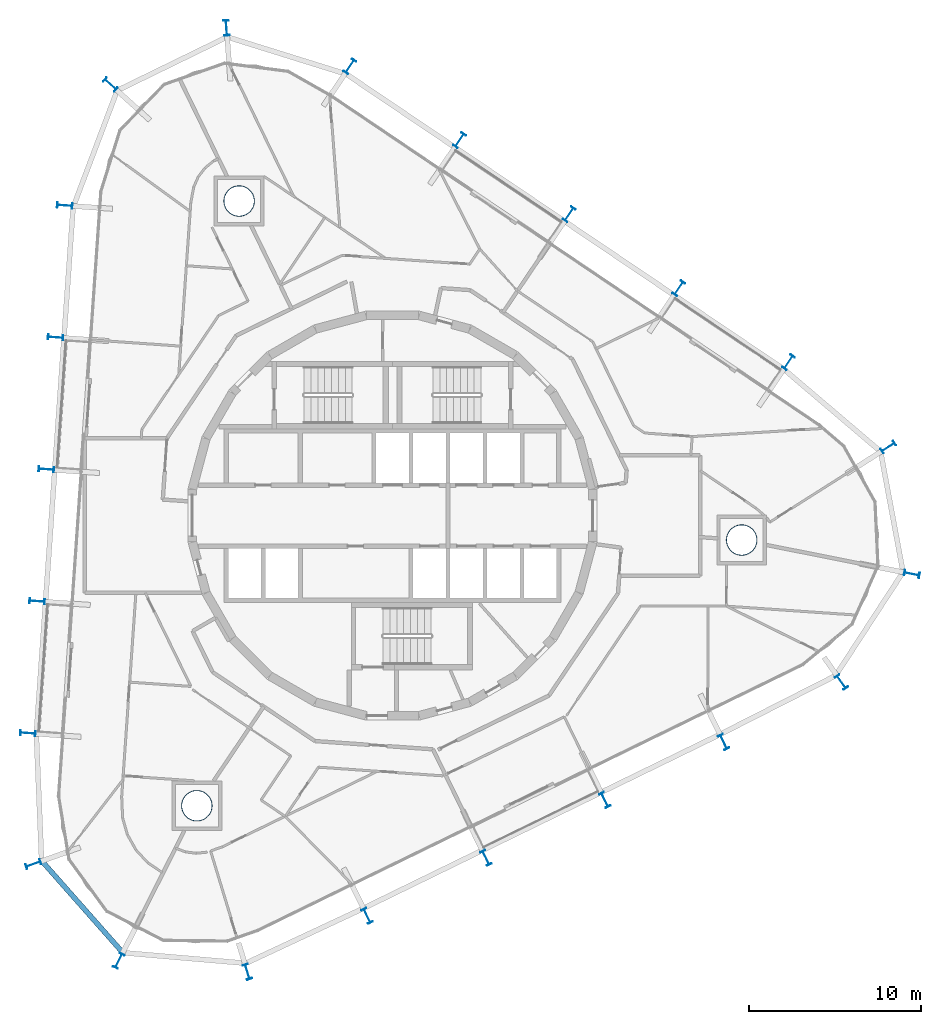
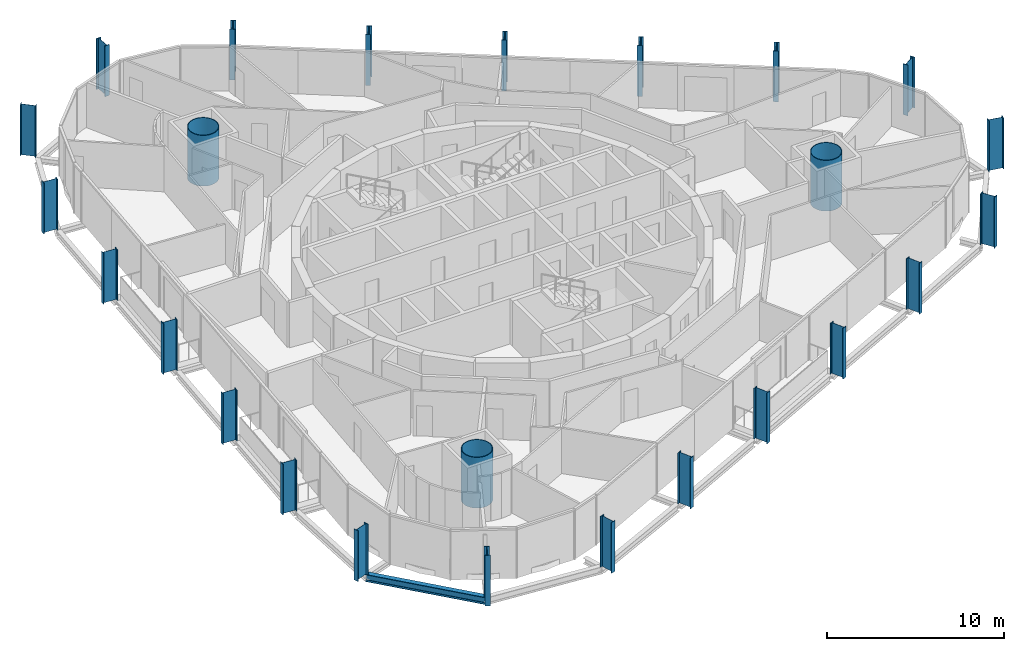
# One storey, part 1 of 17: 25 columns, 1 beam.
"""IFC4 building model written with IfcOpenShell, lengths in metres."""

from ifc_helpers import new_model, si_unit, direction, frame, origin, origin_2d, place, context, subcontext, project, spatial, hollow_circle, i_section, extrude, material, material_profile, profile_set, type_object, element, save


model = new_model("IFC4")

# Units and contexts
model_context = context("Model", 3, precision=1e-05, world=origin(), true_north=direction((0.0, 1.0)))
body_context = subcontext(model_context, "Body", "Model", "MODEL_VIEW")
ifc_project = project(units=[si_unit("LENGTHUNIT", "METRE"), si_unit("AREAUNIT", "SQUARE_METRE"), si_unit("VOLUMEUNIT", "CUBIC_METRE"), si_unit("PLANEANGLEUNIT", "RADIAN"), si_unit("MASSUNIT", "GRAM", prefix="KILO")], contexts=[model_context])

# Site, building, storey
site_placement = place(None, origin())
site = spatial("IfcSite", under=ifc_project, at=site_placement, CompositionType="ELEMENT")
building_placement = place(site_placement, origin())
building = spatial("IfcBuilding", under=site, at=building_placement, Name="Spindle Arch Residences", CompositionType="ELEMENT")
storey_placement = place(building_placement, frame((0.0, 0.0, 212.89990234375)))
storey = spatial("IfcBuildingStorey", under=building, at=storey_placement, Name="L54", CompositionType="ELEMENT", Elevation=212.89990234375)

# Columns
ifc_material_1 = material(Name="Steel S460ML, intumescent coating R 240", Category="steel")
ifc_material_profile_1 = material_profile(ifc_material_1, i_section(OverallWidth=0.300048828125, OverallDepth=0.89990234375, WebThickness=0.0185546875, FlangeThickness=0.034912109375, FilletRadius=0.030029296875, at=origin_2d()), Name="HEB 900")
ifc_profile_set_1 = profile_set([ifc_material_profile_1], Name="Steel S460ML, intumescent coating R 240")
column_type_1 = type_object("IfcColumnType", Name="Exoskeleton post HEB 900", PredefinedType="COLUMN", material=ifc_profile_set_1)
for number, where, z_axis, x_axis, name in (
    (1, (12.347900390625, -16.5419921875, -0.3798828125), (0.0, 0.0, 1.0), (-0.898794095235, -0.438371046456, 0.0), "Exoskeleton post 1"),
    (2, (19.26318359375, -13.169189453125, -0.3798828125), (0.0, 0.0, 1.0), (-0.898794095235, -0.438371046456, 0.0), "Exoskeleton post 2"),
    (3, (26.11669921875, -9.685546875, -0.3798828125), (0.0, 0.0, 1.0), (-0.818345137662, -0.574727096686, 0.0), "Exoskeleton post 3"),
    (4, (30.217041015625, -3.39501953125, -0.3798828125), (0.0, 0.0, 1.0), (-0.195504943379, -0.980702715972, 0.0), "Exoskeleton post 4"),
    (5, (28.84228515625, 3.9873046875, -0.3798828125), (0.0, 0.0, 1.0), (0.535400283339, -0.844598446956, 0.0), "Exoskeleton post 5"),
    (6, (23.03466796875, 8.926025390625, -0.3798828125), (0.0, 0.0, 1.0), (0.829037661466, -0.559192771654, 0.0), "Exoskeleton post 6"),
    (7, (16.65625, 13.228271484375, -0.3798828125), (0.0, 0.0, 1.0), (0.829037661466, -0.559192771654, 0.0), "Exoskeleton post 7"),
    (8, (10.27783203125, 17.530517578125, -0.3798828125), (0.0, 0.0, 1.0), (0.829037661466, -0.559192771654, 0.0), "Exoskeleton post 8"),
    (9, (3.8994140625, 21.832763671875, -0.3798828125), (0.0, 0.0, 1.0), (0.829037661466, -0.559192771654, 0.0), "Exoskeleton post 9"),
    (10, (-2.47900390625, 26.135009765625, -0.3798828125), (0.0, 0.0, 1.0), (0.829037661466, -0.559192771654, 0.0), "Exoskeleton post 10"),
    (11, (-9.66162109375, 28.3740234375, -0.3798828125), (0.0, 0.0, 1.0), (0.997343345089, 0.072844025201, 0.0), "Exoskeleton post 11"),
    (12, (-16.41064453125, 25.082275390625, -0.3798828125), (0.0, 0.0, 1.0), (0.671427897912, 0.741069887329, 0.0), "Exoskeleton post 12"),
    (13, (-19.068603515625, 18.043701171875, -0.3798828125), (0.0, 0.0, 1.0), (0.069756005795, 0.997564082982, 0.0), "Exoskeleton post 13"),
    (14, (-19.605224609375, 10.368896484375, -0.3798828125), (0.0, 0.0, 1.0), (0.069756005795, 0.997564082982, 0.0), "Exoskeleton post 14"),
    (15, (-20.141845703125, 2.69384765625, -0.3798828125), (0.0, 0.0, 1.0), (0.069756005795, 0.997564082982, 0.0), "Exoskeleton post 15"),
    (16, (-20.6787109375, -4.981201171875, -0.3798828125), (0.0, 0.0, 1.0), (0.069756005795, 0.997564082982, 0.0), "Exoskeleton post 16"),
    (17, (-21.21533203125, -12.656005859375, -0.3798828125), (0.0, 0.0, 1.0), (0.069756005795, 0.997564082982, 0.0), "Exoskeleton post 17"),
    (18, (-20.899169921875, -20.273193359375, -0.3798828125), (0.0, 0.0, 1.0), (-0.335927007751, 0.941888021722, 0.0), "Exoskeleton post 18"),
    (19, (-15.92822265625, -25.901611328125, -0.3798828125), (0.0, 0.0, 1.0), (-0.893169071277, 0.449721035881, 0.0), "Exoskeleton post 19"),
    (20, (-8.446533203125, -26.543212890625, -0.3798828125), (0.0, 0.0, 1.0), (-0.956714575216, -0.291027870778, 0.0), "Exoskeleton post 20"),
    (21, (-1.482177734375, -23.287353515625, -0.3798828125), (0.0, 0.0, 1.0), (-0.898794095235, -0.438371046456, 0.0), "Exoskeleton post 21"),
    (22, (5.43310546875, -19.91455078125, -0.3798828125), (0.0, 0.0, 1.0), (-0.898794095235, -0.438371046456, 0.0), "Exoskeleton post 22"),
):
    element("IfcColumn", number, at=place(storey_placement, frame(where, z_axis=z_axis, x_axis=x_axis)), inside=storey, type_object=column_type_1, Name=name, PredefinedType="COLUMN", context=body_context, shape_type="SweptSolid", body=[
        extrude(i_section(OverallWidth=0.300048828125, OverallDepth=0.89990234375, WebThickness=0.0185546875, FlangeThickness=0.034912109375, FilletRadius=0.030029296875, at=origin_2d()), origin(), (0.0, 0.0, 1.0), 3.5),
    ])
ifc_material_2 = material(Name="Concrete C50/60 filled steel tube S460ML, intumescent coating R 240", Category="concrete")
ifc_material_profile_2 = material_profile(ifc_material_2, hollow_circle(Radius=0.89990234375, WallThickness=0.0400390625, at=origin_2d()), Name="CFT D1800x40")
ifc_profile_set_2 = profile_set([ifc_material_profile_2], Name="Concrete C50/60 filled steel tube S460ML, intumescent coating R 240")
column_type_2 = type_object("IfcColumnType", Name="Mega-column CFT D1800x40", PredefinedType="COLUMN", material=ifc_profile_set_2)
for number, where, z_axis, x_axis, name in (
    (23, (20.31201171875, -1.42041015625, -0.3798828125), (0.0, 0.0, 1.0), (1.0, 0.0, 0.0), "Mega-column 1"),
    (24, (-8.92578125, 18.30078125, -0.3798828125), (0.0, 0.0, 1.0), (1.0, 0.0, 0.0), "Mega-column 2"),
    (25, (-11.385986328125, -16.880615234375, -0.3798828125), (0.0, 0.0, 1.0), (1.0, 0.0, 0.0), "Mega-column 3"),
):
    element("IfcColumn", number, at=place(storey_placement, frame(where, z_axis=z_axis, x_axis=x_axis)), inside=storey, type_object=column_type_2, Name=name, PredefinedType="COLUMN", context=body_context, shape_type="SweptSolid", body=[
        extrude(hollow_circle(Radius=0.89990234375, WallThickness=0.0400390625, at=origin_2d()), origin(), (0.0, 0.0, 1.0), 3.5),
    ])

# Beam
ifc_material_3 = material(Name="Steel S460ML, intumescent coating R 120", Category="steel")
ifc_material_profile_3 = material_profile(ifc_material_3, i_section(OverallWidth=0.300048828125, OverallDepth=0.5, WebThickness=0.014404296875, FlangeThickness=0.028076171875, FilletRadius=0.027099609375, at=origin_2d()), Name="HEB 500")
ifc_profile_set_3 = profile_set([ifc_material_profile_3], Name="Steel S460ML, intumescent coating R 120")
beam_type = type_object("IfcBeamType", Name="Exoskeleton edge beam HEB 500", PredefinedType="BEAM", material=ifc_profile_set_3)
beam_placement = place(storey_placement, frame((-20.44580078125, -20.04638671875, -0.6298828125), z_axis=(0.661985798565, -0.749516379073, 0.0), x_axis=(0.749516379073, 0.661985798565, 0.0)))
element("IfcBeam", 26, at=beam_placement, inside=storey, type_object=beam_type, Name="Exoskeleton edge beam 18", PredefinedType="BEAM", context=body_context, shape_type="SweptSolid", body=[
    extrude(i_section(OverallWidth=0.300048828125, OverallDepth=0.5, WebThickness=0.014404296875, FlangeThickness=0.028076171875, FilletRadius=0.027099609375, at=origin_2d()), origin(), (0.0, 0.0, 1.0), 7.2490234375),
])

save(model, "model.ifc")
